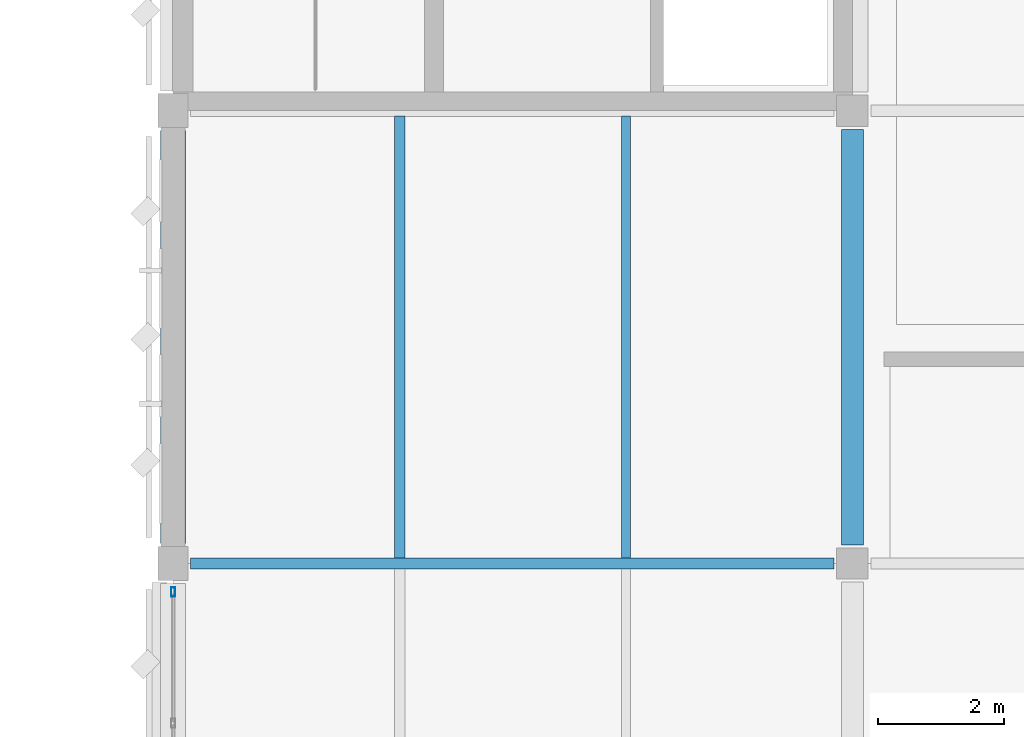
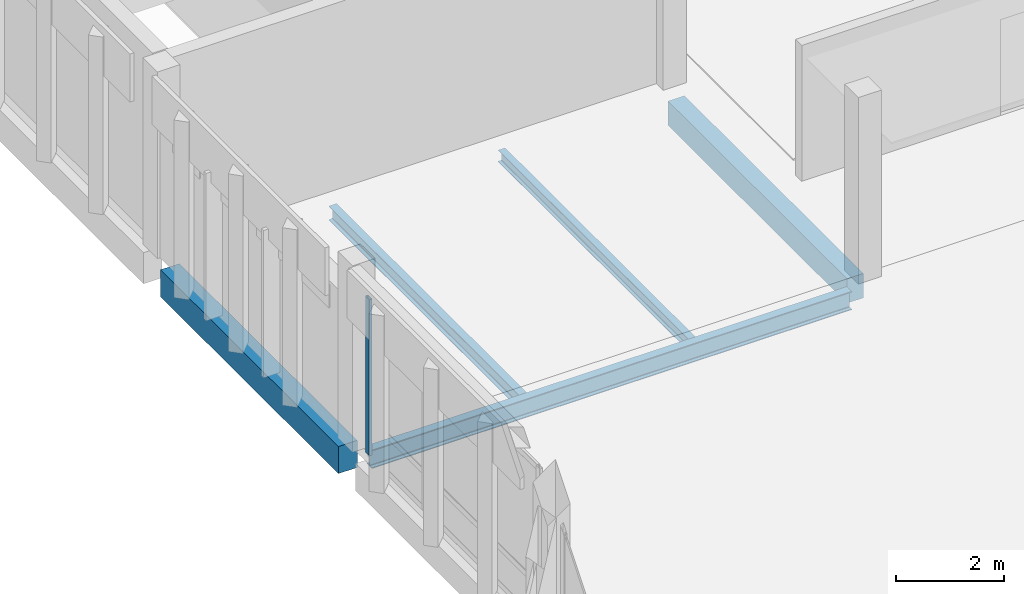
# One storey, part 20 of 72: 5 beams, 1 member, 1 element without a shape of its own.
"""IFC4 building model written with IfcOpenShell, lengths in metres."""

from ifc_helpers import new_model, si_unit, direction, frame, origin, origin_2d, place, context, subcontext, project, spatial, rectangle, hollow_rectangle, i_section, extrude, material, material_profile, profile_set, type_object, element, aggregate, save


model = new_model("IFC4")

# Units and contexts
model_context = context("Model", 3, precision=1e-05, world=origin(), true_north=direction((0.0, 1.0)))
body_context = subcontext(model_context, "Body", "Model", "MODEL_VIEW")
ifc_project = project(units=[si_unit("LENGTHUNIT", "METRE"), si_unit("AREAUNIT", "SQUARE_METRE"), si_unit("VOLUMEUNIT", "CUBIC_METRE"), si_unit("PLANEANGLEUNIT", "RADIAN"), si_unit("MASSUNIT", "GRAM", prefix="KILO")], contexts=[model_context])

# Site, building, storey
site_placement = place(None, origin())
site = spatial("IfcSite", under=ifc_project, at=site_placement, CompositionType="ELEMENT")
building_placement = place(site_placement, origin())
building = spatial("IfcBuilding", under=site, at=building_placement, Name="Lusvemor Sports Hall", CompositionType="ELEMENT")
storey_placement = place(building_placement, frame((0.0, 0.0, 15.0)))
storey = spatial("IfcBuildingStorey", under=building, at=storey_placement, Name="L03", CompositionType="ELEMENT", Elevation=15.0)

# Beams
ifc_material_1 = material(Name="Concrete C40/50", Category="concrete")
ifc_material_profile_1 = material_profile(ifc_material_1, rectangle(XDim=0.35009765625, YDim=0.550048828125, at=origin_2d()), Name="RC350x550")
ifc_profile_set_1 = profile_set([ifc_material_profile_1], Name="Concrete C40/50")
beam_type_1 = type_object("IfcBeamType", Name="BEAM_RC_550", PredefinedType="BEAM", material=ifc_profile_set_1)
beam_1_placement = place(storey_placement, frame((10.800048828125, 97.49609375, -0.514892578125), z_axis=(0.0, 1.0, 0.0), x_axis=(-1.0, 0.0, 0.0)))
element("IfcBeam", 1, at=beam_1_placement, inside=storey, type_object=beam_type_1, Name="Beam L03 2:N-P", PredefinedType="BEAM", context=body_context, shape_type="SweptSolid", body=[
    extrude(rectangle(XDim=0.35009765625, YDim=0.550048828125, at=origin_2d()), origin(), (0.0, 0.0, 1.0), 6.60791015625),
])
ifc_material_2 = material(Name="Steel S355", Category="steel")
ifc_material_profile_2 = material_profile(ifc_material_2, i_section(OverallWidth=0.180908203125, OverallDepth=0.4169921875, WebThickness=0.010986328125, FlangeThickness=0.018310546875, FilletRadius=0.01611328125, at=origin_2d()), Name="W410x85.0")
ifc_profile_set_2 = profile_set([ifc_material_profile_2], Name="Steel S355")
beam_type_2 = type_object("IfcBeamType", Name="BEAM_ST_410H", PredefinedType="BEAM", material=ifc_profile_set_2)
beam_2_placement = place(storey_placement, frame((0.27587890625, 97.199951171875, -0.452392578125), z_axis=(1.0, 0.0, 0.0), x_axis=(0.0, 1.0, 0.0)))
element("IfcBeam", 2, at=beam_2_placement, inside=storey, type_object=beam_type_2, Name="Beam L03 N:1-2", PredefinedType="BEAM", context=body_context, shape_type="SweptSolid", body=[
    extrude(i_section(OverallWidth=0.180908203125, OverallDepth=0.4169921875, WebThickness=0.010986328125, FlangeThickness=0.018310546875, FilletRadius=0.01611328125, at=origin_2d()), origin(), (0.0, 0.0, 1.0), 10.22802734375),
])

# Curtain wall, member
ifc_material_3 = material(Name="Thermally broken bronze-anodized aluminium", Category="aluminium")
curtain_wall_type = type_object("IfcCurtainWallType", Name="CW_WING_B", PredefinedType="NOTDEFINED", material=ifc_material_3)
curtain_wall_placement = place(storey_placement, origin())
curtain_wall = element("IfcCurtainWall", 3, at=curtain_wall_placement, inside=storey, type_object=curtain_wall_type, Name="Curtain Wall CW-L03-W-0-5", PredefinedType="NOTDEFINED")
ifc_material_4 = material(Name="Thermally broken bronze-anodized aluminium", Category="aluminium")
ifc_material_profile_3 = material_profile(ifc_material_4, hollow_rectangle(XDim=0.06494140625, YDim=0.14990234375, WallThickness=0.00390625, InnerFilletRadius=0.00390625, OuterFilletRadius=0.008056640625, at=origin_2d()), Name="CWMUL150x65x4")
ifc_profile_set_3 = profile_set([ifc_material_profile_3], Name="Thermally broken bronze-anodized aluminium")
member_type = type_object("IfcMemberType", Name="CW_MUL_B", PredefinedType="MULLION", material=ifc_profile_set_3)
member_placement = place(storey_placement, frame((0.0, 96.74755859375, 0.0), z_axis=(0.0, 0.0, 1.0), x_axis=(-1.0, 0.0, 0.0)))
member = element("IfcMember", 4, at=member_placement, type_object=member_type, Name="CW02 mullion 4", PredefinedType="MULLION", context=body_context, shape_type="SweptSolid", body=[
    extrude(hollow_rectangle(XDim=0.06494140625, YDim=0.14990234375, WallThickness=0.00390625, InnerFilletRadius=0.00390625, OuterFilletRadius=0.008056640625, at=origin_2d()), origin(), (0.0, 0.0, 1.0), 3.52001953125),
])
aggregate(curtain_wall, [member])

# Beams
ifc_material_5 = material(Name="Steel S355", Category="steel")
ifc_material_profile_4 = material_profile(ifc_material_5, i_section(OverallWidth=0.14794921875, OverallDepth=0.26611328125, WebThickness=0.007568359375, FlangeThickness=0.012939453125, FilletRadius=0.012939453125, at=origin_2d()), Name="W250x44.8")
ifc_profile_set_4 = profile_set([ifc_material_profile_4], Name="Steel S355")
beam_type_3 = type_object("IfcBeamType", Name="JOIST_ST_250M", PredefinedType="JOIST", material=ifc_profile_set_4)
beam_3_placement = place(storey_placement, frame((7.199951171875, 97.28662109375, -0.376953125), z_axis=(0.0, 1.0, 0.0), x_axis=(-1.0, 0.0, 0.0)))
element("IfcBeam", 5, at=beam_3_placement, inside=storey, type_object=beam_type_3, Name="Secondary Joist L03 1-2/N-P #2", PredefinedType="JOIST", context=body_context, shape_type="SweptSolid", body=[
    extrude(i_section(OverallWidth=0.14794921875, OverallDepth=0.26611328125, WebThickness=0.007568359375, FlangeThickness=0.012939453125, FilletRadius=0.012939453125, at=origin_2d()), origin(), (0.0, 0.0, 1.0), 7.02685546875),
])
ifc_material_6 = material(Name="Steel S355", Category="steel")
ifc_material_profile_5 = material_profile(ifc_material_6, i_section(OverallWidth=0.1669921875, OverallDepth=0.31689453125, WebThickness=0.007568359375, FlangeThickness=0.01318359375, FilletRadius=0.014892578125, at=origin_2d()), Name="W310x52.0")
ifc_profile_set_5 = profile_set([ifc_material_profile_5], Name="Steel S355")
beam_type_4 = type_object("IfcBeamType", Name="JOIST_ST_310M", PredefinedType="JOIST", material=ifc_profile_set_5)
beam_4_placement = place(storey_placement, frame((3.60009765625, 97.28662109375, -0.402587890625), z_axis=(0.0, 1.0, 0.0), x_axis=(-1.0, 0.0, 0.0)))
element("IfcBeam", 6, at=beam_4_placement, inside=storey, type_object=beam_type_4, Name="Secondary Joist L03 1-2/N-P #1", PredefinedType="JOIST", context=body_context, shape_type="SweptSolid", body=[
    extrude(i_section(OverallWidth=0.1669921875, OverallDepth=0.31689453125, WebThickness=0.007568359375, FlangeThickness=0.01318359375, FilletRadius=0.014892578125, at=origin_2d()), origin(), (0.0, 0.0, 1.0), 7.02685546875),
])
ifc_material_7 = material(Name="Concrete C40/50", Category="concrete")
ifc_material_profile_6 = material_profile(ifc_material_7, rectangle(XDim=0.39990234375, YDim=0.610107421875, at=origin_2d()), Name="RC400x610")
ifc_profile_set_6 = profile_set([ifc_material_profile_6], Name="Concrete C40/50")
beam_type_5 = type_object("IfcBeamType", Name="SPAND_EXT_650", PredefinedType="SPANDREL", material=ifc_profile_set_6)
beam_5_placement = place(storey_placement, frame((0.0, 97.51611328125, -0.544921875), z_axis=(0.0, 1.0, 0.0), x_axis=(-1.0, 0.0, 0.0)))
element("IfcBeam", 7, at=beam_5_placement, inside=storey, type_object=beam_type_5, Name="Beam L03 1:N-P", PredefinedType="SPANDREL", context=body_context, shape_type="SweptSolid", body=[
    extrude(rectangle(XDim=0.39990234375, YDim=0.610107421875, at=origin_2d()), origin(), (0.0, 0.0, 1.0), 6.56787109375),
])

save(model, "model.ifc")
